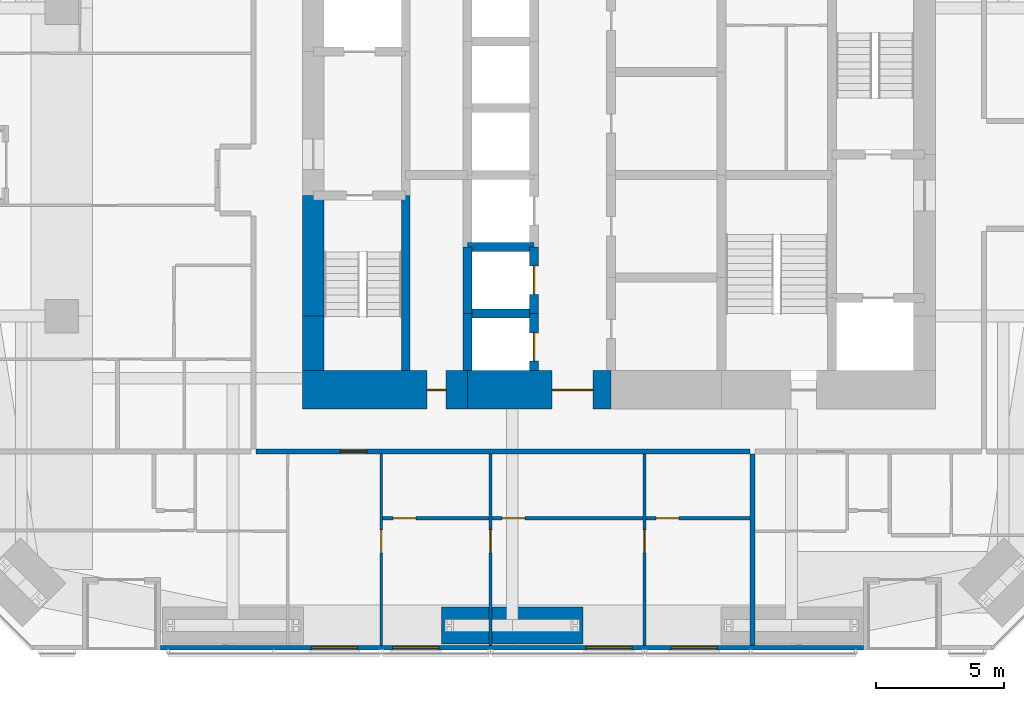
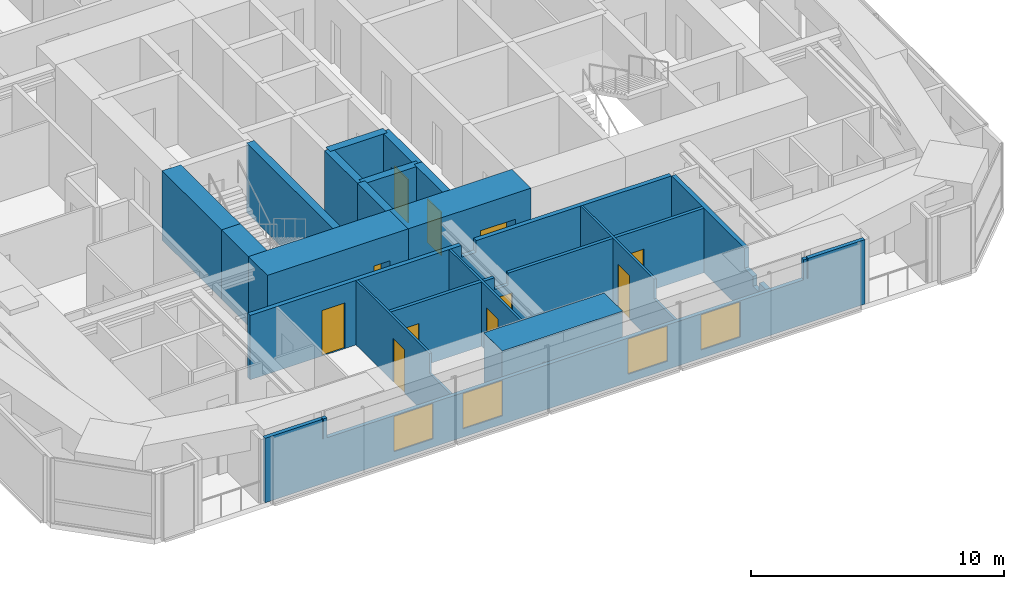
# One storey, part 17 of 23: 21 walls, 11 doors, 4 windows, 15 openings.
"""IFC4 building model written with IfcOpenShell, lengths in metres."""

from ifc_helpers import new_model, si_unit, direction, frame, frame_2d, origin, place, context, subcontext, project, spatial, polyline, rectangle, outline, extrude, material, layer, layer_set, constituent, constituent_set, type_object, element, fill, save


model = new_model("IFC4")

# Units and contexts
model_context = context("Model", 3, precision=1e-05, world=origin(), true_north=direction((0.0, 1.0)))
body_context = subcontext(model_context, "Body", "Model", "MODEL_VIEW")
ifc_project = project(units=[si_unit("LENGTHUNIT", "METRE"), si_unit("AREAUNIT", "SQUARE_METRE"), si_unit("VOLUMEUNIT", "CUBIC_METRE"), si_unit("PLANEANGLEUNIT", "RADIAN"), si_unit("MASSUNIT", "GRAM", prefix="KILO")], contexts=[model_context])

# Site, building, storey
site_placement = place(None, origin())
site = spatial("IfcSite", under=ifc_project, at=site_placement, CompositionType="ELEMENT")
building_placement = place(site_placement, origin())
building = spatial("IfcBuilding", under=site, at=building_placement, Name="Jalousie Tower", CompositionType="ELEMENT")
storey_placement = place(building_placement, frame((0.0, 0.0, 118.25)))
storey = spatial("IfcBuildingStorey", under=building, at=storey_placement, Name="L32", CompositionType="ELEMENT", Elevation=118.25)

# Wall, opening, door
ifc_material_1 = material(Name="Concrete block ASTM C90", Category="concrete")
ifc_constituent_1 = constituent(ifc_material_1, Name="Body")
ifc_material_2 = material(Name="Render")
ifc_constituent_2 = constituent(ifc_material_2, Name="Finish")
ifc_constituent_set_1 = constituent_set(constituents=[ifc_constituent_1, ifc_constituent_2])
wall_type_1 = type_object("IfcWallType", Name="BATHROOM WALL 150", PredefinedType="PLUMBINGWALL", material=ifc_constituent_set_1)
wall_1_placement = place(storey_placement, frame((22.699951171875, 5.125, 0.0), z_axis=(0.0, 0.0, 1.0), x_axis=(1.0, 0.0, 0.0)))
wall_1 = element("IfcWall", 1, at=wall_1_placement, inside=storey, type_object=wall_type_1, Name="Bathroom Wall 150 L32", PredefinedType="PLUMBINGWALL", context=body_context, shape_type="SweptSolid", body=[
    extrude(rectangle(XDim=4.150146484375, YDim=0.14990234375, at=frame_2d((2.0751953125, 0.0))), origin(), (0.0, 0.0, 1.0), 3.110107421875),
])
opening_1_placement = place(wall_1_placement, frame((0.39990234375, 0.0, 0.0)))
opening_1 = element("IfcOpeningElement", 2, at=opening_1_placement, cuts=wall_1, Name="Opening D3", PredefinedType="OPENING", context=body_context, shape_type="SweptSolid", body=[
    extrude(rectangle(XDim=0.89990234375, YDim=2.10009765625, at=frame_2d((0.449951171875, 1.050048828125))), frame((0.0, 0.0849609375, 0.0), z_axis=(0.0, -1.0, 0.0), x_axis=(1.0, 0.0, 0.0)), (0.0, 0.0, 1.0), 0.169921875),
])
ifc_material_3 = material(Name="Timber door", Category="wood")
door_type_1 = type_object("IfcDoorType", Name="BATHROOM DOOR 900", OperationType="SINGLE_SWING_LEFT", PredefinedType="DOOR", material=ifc_material_3)
door_1_placement = place(opening_1_placement, origin())
door_1 = element("IfcDoor", 3, at=door_1_placement, inside=storey, type_object=door_type_1, Name="Apartment 3201 bedroom 1 bathroom door", OperationType="SINGLE_SWING_LEFT", OverallHeight=2.10009765625, OverallWidth=0.89990234375, PredefinedType="DOOR", context=body_context, shape_type="SweptSolid", body=[
    extrude(rectangle(XDim=0.89990234375, YDim=2.10009765625, at=frame_2d((0.449951171875, 1.050048828125))), frame((0.0, 0.02490234375, 0.0), z_axis=(0.0, -1.0, 0.0), x_axis=(1.0, 0.0, 0.0)), (0.0, 0.0, 1.0), 0.050048828125),
])
fill(opening_1, door_1)

wall_2_placement = place(storey_placement, frame((26.949951171875, 5.125, 0.0), z_axis=(0.0, 0.0, 1.0), x_axis=(1.0, 0.0, 0.0)))
wall_2 = element("IfcWall", 4, at=wall_2_placement, inside=storey, type_object=wall_type_1, Name="Bathroom Wall 150 L32", PredefinedType="PLUMBINGWALL", context=body_context, shape_type="SweptSolid", body=[
    extrude(outline(polyline([(0.0, 0.0), (5.900146484375, 0.0), (5.89990234375, 3.110107421875), (1.1123046875, 3.110107421875), (1.1123046875, 2.541015625), (0.487548828125, 2.541015625), (0.487548828125, 3.110107421875), (0.0, 3.110107421875), (0.0, 0.0)])), frame((0.0, 0.074951171875, 0.0), z_axis=(0.0, -1.0, 0.0), x_axis=(1.0, 0.0, 0.0)), (0.0, 0.0, 1.0), 0.14990234375),
])
opening_2_placement = place(wall_2_placement, frame((0.39990234375, 0.0, 0.0)))
opening_2 = element("IfcOpeningElement", 5, at=opening_2_placement, cuts=wall_2, Name="Opening D3", PredefinedType="OPENING", context=body_context, shape_type="SweptSolid", body=[
    extrude(rectangle(XDim=0.89990234375, YDim=2.10009765625, at=frame_2d((0.449951171875, 1.050048828125))), frame((0.0, 0.0849609375, 0.0), z_axis=(0.0, -1.0, 0.0), x_axis=(1.0, 0.0, 0.0)), (0.0, 0.0, 1.0), 0.169921875),
])
door_2_placement = place(opening_2_placement, origin())
door_2 = element("IfcDoor", 6, at=door_2_placement, inside=storey, type_object=door_type_1, Name="Apartment 3201 bedroom 2 bathroom door", OperationType="SINGLE_SWING_LEFT", OverallHeight=2.10009765625, OverallWidth=0.89990234375, PredefinedType="DOOR", context=body_context, shape_type="SweptSolid", body=[
    extrude(rectangle(XDim=0.89990234375, YDim=2.10009765625, at=frame_2d((0.449951171875, 1.050048828125))), frame((0.0, 0.02490234375, 0.0), z_axis=(0.0, -1.0, 0.0), x_axis=(1.0, 0.0, 0.0)), (0.0, 0.0, 1.0), 0.050048828125),
])
fill(opening_2, door_2)

wall_3_placement = place(storey_placement, frame((32.949951171875, 5.125, 0.0), z_axis=(0.0, 0.0, 1.0), x_axis=(1.0, 0.0, 0.0)))
wall_3 = element("IfcWall", 7, at=wall_3_placement, inside=storey, type_object=wall_type_1, Name="Bathroom Wall 150 L32", PredefinedType="PLUMBINGWALL", context=body_context, shape_type="SweptSolid", body=[
    extrude(rectangle(XDim=4.050048828125, YDim=0.14990234375, at=frame_2d((2.02490234375, 0.0))), origin(), (0.0, 0.0, 1.0), 3.110107421875),
])
opening_3_placement = place(wall_3_placement, frame((0.39990234375, 0.0, 0.0)))
opening_3 = element("IfcOpeningElement", 8, at=opening_3_placement, cuts=wall_3, Name="Opening D3", PredefinedType="OPENING", context=body_context, shape_type="SweptSolid", body=[
    extrude(rectangle(XDim=0.89990234375, YDim=2.10009765625, at=frame_2d((0.449951171875, 1.050048828125))), frame((0.0, 0.0849609375, 0.0), z_axis=(0.0, -1.0, 0.0), x_axis=(1.0, 0.0, 0.0)), (0.0, 0.0, 1.0), 0.169921875),
])
door_3_placement = place(opening_3_placement, origin())
door_3 = element("IfcDoor", 9, at=door_3_placement, inside=storey, type_object=door_type_1, Name="Apartment 3201 bedroom 3 bathroom door", OperationType="SINGLE_SWING_LEFT", OverallHeight=2.10009765625, OverallWidth=0.89990234375, PredefinedType="DOOR", context=body_context, shape_type="SweptSolid", body=[
    extrude(rectangle(XDim=0.89990234375, YDim=2.10009765625, at=frame_2d((0.449951171875, 1.050048828125))), frame((0.0, 0.02490234375, 0.0), z_axis=(0.0, -1.0, 0.0), x_axis=(1.0, 0.0, 0.0)), (0.0, 0.0, 1.0), 0.050048828125),
])
fill(opening_3, door_3)

ifc_material_4 = material(Name="Concrete f'c 120 MPa", Category="concrete")
ifc_layer_1 = layer(ifc_material_4, 1.5)
ifc_layer_set_1 = layer_set([ifc_layer_1], Name="Concrete f'c 120 MPa")
wall_type_2 = type_object("IfcWallType", Name="CORE WALL 1500", PredefinedType="SHEAR", material=ifc_layer_set_1)
wall_4_placement = place(storey_placement, frame((19.574951171875, 10.125, 0.0), z_axis=(0.0, 0.0, 1.0), x_axis=(1.0, 0.0, 0.0)))
wall_4 = element("IfcWall", 10, at=wall_4_placement, inside=storey, type_object=wall_type_2, Name="Core wall SA L32", PredefinedType="SHEAR", context=body_context, shape_type="SweptSolid", body=[
    extrude(rectangle(XDim=6.425048828125, YDim=1.5, at=frame_2d((3.21240234375, 0.0))), origin(), (0.0, 0.0, 1.0), 3.35009765625),
])
opening_4_placement = place(wall_4_placement, frame((4.85009765625, 0.0, 0.0)))
opening_4 = element("IfcOpeningElement", 11, at=opening_4_placement, cuts=wall_4, Name="Opening D16", PredefinedType="OPENING", context=body_context, shape_type="SweptSolid", body=[
    extrude(rectangle(XDim=0.75, YDim=2.10009765625, at=frame_2d((0.375, 1.050048828125))), frame((0.0, 0.760009765625, 0.0), z_axis=(0.0, -1.0, 0.0), x_axis=(1.0, 0.0, 0.0)), (0.0, 0.0, 1.0), 1.52001953125),
])
ifc_material_5 = material(Name="Steel fire door", Category="steel")
door_type_2 = type_object("IfcDoorType", Name="RISER DOOR 750", OperationType="SINGLE_SWING_LEFT", PredefinedType="DOOR", material=ifc_material_5)
door_4_placement = place(opening_4_placement, origin())
door_4 = element("IfcDoor", 12, at=door_4_placement, inside=storey, type_object=door_type_2, Name="South riser door", OperationType="SINGLE_SWING_LEFT", OverallHeight=2.10009765625, OverallWidth=0.75, PredefinedType="DOOR", context=body_context, shape_type="SweptSolid", body=[
    extrude(rectangle(XDim=0.75, YDim=2.10009765625, at=frame_2d((0.375, 1.050048828125))), frame((0.0, 0.02490234375, 0.0), z_axis=(0.0, -1.0, 0.0), x_axis=(1.0, 0.0, 0.0)), (0.0, 0.0, 1.0), 0.050048828125),
])
fill(opening_4, door_4)

wall_5_placement = place(storey_placement, frame((26.0, 10.125, 0.0), z_axis=(0.0, 0.0, 1.0), x_axis=(1.0, 0.0, 0.0)))
wall_5 = element("IfcWall", 13, at=wall_5_placement, inside=storey, type_object=wall_type_2, Name="Core wall SB L32", PredefinedType="SHEAR", context=body_context, shape_type="SweptSolid", body=[
    extrude(rectangle(XDim=5.60009765625, YDim=1.5, at=frame_2d((2.800048828125, 0.0))), origin(), (0.0, 0.0, 1.0), 3.35009765625),
])
opening_5_placement = place(wall_5_placement, frame((3.300048828125, 0.0, 0.0)))
opening_5 = element("IfcOpeningElement", 14, at=opening_5_placement, cuts=wall_5, Name="Opening D15", PredefinedType="OPENING", context=body_context, shape_type="SweptSolid", body=[
    extrude(rectangle(XDim=1.60009765625, YDim=2.10009765625, at=frame_2d((0.800048828125, 1.050048828125))), frame((0.0, 0.760009765625, 0.0), z_axis=(0.0, -1.0, 0.0), x_axis=(1.0, 0.0, 0.0)), (0.0, 0.0, 1.0), 1.52001953125),
])
ifc_material_6 = material(Name="Steel fire door", Category="steel")
door_type_3 = type_object("IfcDoorType", Name="LIFT LOBBY DOOR 1600", OperationType="DOUBLE_DOOR_SINGLE_SWING", PredefinedType="DOOR", material=ifc_material_6)
door_5_placement = place(opening_5_placement, origin())
door_5 = element("IfcDoor", 15, at=door_5_placement, inside=storey, type_object=door_type_3, Name="Lift lobby south door", OperationType="DOUBLE_DOOR_SINGLE_SWING", OverallHeight=2.10009765625, OverallWidth=1.60009765625, PredefinedType="DOOR", context=body_context, shape_type="SweptSolid", body=[
    extrude(rectangle(XDim=1.60009765625, YDim=2.10009765625, at=frame_2d((0.800048828125, 1.050048828125))), frame((0.0, 0.02490234375, 0.0), z_axis=(0.0, -1.0, 0.0), x_axis=(1.0, 0.0, 0.0)), (0.0, 0.0, 1.0), 0.050048828125),
])
fill(opening_5, door_5)

# Walls
ifc_material_7 = material(Name="Concrete f'c 120 MPa", Category="concrete")
ifc_layer_2 = layer(ifc_material_7, 0.35009765625)
ifc_layer_set_2 = layer_set([ifc_layer_2], Name="Concrete f'c 120 MPa")
wall_type_3 = type_object("IfcWallType", Name="CORE WALL 350", PredefinedType="SHEAR", material=ifc_layer_set_2)
wall_6_placement = place(storey_placement, frame((23.60009765625, 10.875, 0.0), z_axis=(0.0, 0.0, 1.0), x_axis=(0.0, 1.0, 0.0)))
element("IfcWall", 16, at=wall_6_placement, inside=storey, type_object=wall_type_3, Name="Core wall X23.6A L32", PredefinedType="SHEAR", context=body_context, shape_type="SweptSolid", body=[
    extrude(rectangle(XDim=6.824951171875, YDim=0.35009765625, at=frame_2d((3.41259765625, 0.0))), origin(), (0.0, 0.0, 1.0), 3.35009765625),
])
wall_7_placement = place(storey_placement, frame((26.0, 10.875, 0.0), z_axis=(0.0, 0.0, 1.0), x_axis=(0.0, 1.0, 0.0)))
element("IfcWall", 17, at=wall_7_placement, inside=storey, type_object=wall_type_3, Name="Core wall X26A L32", PredefinedType="SHEAR", context=body_context, shape_type="SweptSolid", body=[
    extrude(rectangle(XDim=2.22509765625, YDim=0.35009765625, at=frame_2d((1.112548828125, 0.0))), origin(), (0.0, 0.0, 1.0), 3.35009765625),
])
wall_8_placement = place(storey_placement, frame((26.0, 13.10009765625, 0.0), z_axis=(0.0, 0.0, 1.0), x_axis=(0.0, 1.0, 0.0)))
element("IfcWall", 18, at=wall_8_placement, inside=storey, type_object=wall_type_3, Name="Core wall X26B L32", PredefinedType="SHEAR", context=body_context, shape_type="SweptSolid", body=[
    extrude(rectangle(XDim=2.599853515625, YDim=0.35009765625, at=frame_2d((1.2998046875, 0.0))), origin(), (0.0, 0.0, 1.0), 3.35009765625),
])

# Wall, opening, door
wall_9_placement = place(storey_placement, frame((28.60009765625, 10.875, 0.0), z_axis=(0.0, 0.0, 1.0), x_axis=(0.0, 1.0, 0.0)))
wall_9 = element("IfcWall", 19, at=wall_9_placement, inside=storey, type_object=wall_type_3, Name="Core wall X28.6A L32", PredefinedType="SHEAR", context=body_context, shape_type="SweptSolid", body=[
    extrude(rectangle(XDim=2.22509765625, YDim=0.35009765625, at=frame_2d((1.112548828125, 0.0))), origin(), (0.0, 0.0, 1.0), 3.35009765625),
])
opening_6_placement = place(wall_9_placement, frame((0.375, 0.0, 0.0)))
opening_6 = element("IfcOpeningElement", 20, at=opening_6_placement, cuts=wall_9, Name="Opening LD1", PredefinedType="OPENING", context=body_context, shape_type="SweptSolid", body=[
    extrude(rectangle(XDim=1.10009765625, YDim=2.10009765625, at=frame_2d((0.550048828125, 1.050048828125))), frame((0.0, 0.18505859375, 0.0), z_axis=(0.0, -1.0, 0.0), x_axis=(1.0, 0.0, 0.0)), (0.0, 0.0, 1.0), 0.3701171875),
])
ifc_material_8 = material(Name="Steel lift landing door", Category="steel")
door_type_4 = type_object("IfcDoorType", Name="LIFT LANDING DOOR 1100", OperationType="SLIDING_TO_LEFT", PredefinedType="DOOR", material=ifc_material_8)
door_6_placement = place(opening_6_placement, origin())
door_6 = element("IfcDoor", 21, at=door_6_placement, inside=storey, type_object=door_type_4, Name="Lift P1 landing door", OperationType="SLIDING_TO_LEFT", OverallHeight=2.10009765625, OverallWidth=1.10009765625, PredefinedType="DOOR", context=body_context, shape_type="SweptSolid", body=[
    extrude(rectangle(XDim=1.10009765625, YDim=2.10009765625, at=frame_2d((0.550048828125, 1.050048828125))), frame((0.0, 0.02490234375, 0.0), z_axis=(0.0, -1.0, 0.0), x_axis=(1.0, 0.0, 0.0)), (0.0, 0.0, 1.0), 0.050048828125),
])
fill(opening_6, door_6)

wall_10_placement = place(storey_placement, frame((28.60009765625, 13.10009765625, 0.0), z_axis=(0.0, 0.0, 1.0), x_axis=(0.0, 1.0, 0.0)))
wall_10 = element("IfcWall", 22, at=wall_10_placement, inside=storey, type_object=wall_type_3, Name="Core wall X28.6B L32", PredefinedType="SHEAR", context=body_context, shape_type="SweptSolid", body=[
    extrude(rectangle(XDim=2.599853515625, YDim=0.35009765625, at=frame_2d((1.2998046875, 0.0))), origin(), (0.0, 0.0, 1.0), 3.35009765625),
])
opening_7_placement = place(wall_10_placement, frame((0.75, 0.0, 0.0)))
opening_7 = element("IfcOpeningElement", 23, at=opening_7_placement, cuts=wall_10, Name="Opening LD1", PredefinedType="OPENING", context=body_context, shape_type="SweptSolid", body=[
    extrude(rectangle(XDim=1.10009765625, YDim=2.10009765625, at=frame_2d((0.550048828125, 1.050048828125))), frame((0.0, 0.18505859375, 0.0), z_axis=(0.0, -1.0, 0.0), x_axis=(1.0, 0.0, 0.0)), (0.0, 0.0, 1.0), 0.3701171875),
])
door_7_placement = place(opening_7_placement, origin())
door_7 = element("IfcDoor", 24, at=door_7_placement, inside=storey, type_object=door_type_4, Name="Lift P2 landing door", OperationType="SLIDING_TO_LEFT", OverallHeight=2.10009765625, OverallWidth=1.10009765625, PredefinedType="DOOR", context=body_context, shape_type="SweptSolid", body=[
    extrude(rectangle(XDim=1.10009765625, YDim=2.10009765625, at=frame_2d((0.550048828125, 1.050048828125))), frame((0.0, 0.02490234375, 0.0), z_axis=(0.0, -1.0, 0.0), x_axis=(1.0, 0.0, 0.0)), (0.0, 0.0, 1.0), 0.050048828125),
])
fill(opening_7, door_7)

# Walls
for number, where, z_axis, x_axis, name in (
    (25, (26.0, 13.10009765625, 0.0), (0.0, 0.0, 1.0), (1.0, 0.0, 0.0), "Core wall Y26-13.1 L32"),
    (26, (26.0, 15.699951171875, 0.0), (0.0, 0.0, 1.0), (1.0, 0.0, 0.0), "Core wall Y26-15.7 L32"),
):
    element("IfcWall", number, at=place(storey_placement, frame(where, z_axis=z_axis, x_axis=x_axis)), inside=storey, type_object=wall_type_3, Name=name, PredefinedType="SHEAR", context=body_context, shape_type="SweptSolid", body=[
        extrude(rectangle(XDim=2.60009765625, YDim=0.35009765625, at=frame_2d((1.300048828125, 0.0))), origin(), (0.0, 0.0, 1.0), 3.35009765625),
    ])
ifc_material_9 = material(Name="Concrete f'c 120 MPa", Category="concrete")
ifc_layer_3 = layer(ifc_material_9, 0.85009765625)
ifc_layer_set_3 = layer_set([ifc_layer_3], Name="Concrete f'c 120 MPa")
wall_type_4 = type_object("IfcWallType", Name="CORE WALL 850", PredefinedType="SHEAR", material=ifc_layer_set_3)
wall_11_placement = place(storey_placement, frame((20.0, 17.699951171875, 0.0), z_axis=(0.0, 0.0, 1.0), x_axis=(0.0, -1.0, 0.0)))
element("IfcWall", 27, at=wall_11_placement, inside=storey, type_object=wall_type_4, Name="Core wall WC L32", PredefinedType="SHEAR", context=body_context, shape_type="SweptSolid", body=[
    extrude(rectangle(XDim=4.699951171875, YDim=0.85009765625, at=frame_2d((2.35009765625, 0.0))), origin(), (0.0, 0.0, 1.0), 3.35009765625),
])
wall_12_placement = place(storey_placement, frame((20.0, 13.0, 0.0), z_axis=(0.0, 0.0, 1.0), x_axis=(0.0, -1.0, 0.0)))
element("IfcWall", 28, at=wall_12_placement, inside=storey, type_object=wall_type_4, Name="Core wall WD L32", PredefinedType="SHEAR", context=body_context, shape_type="SweptSolid", body=[
    extrude(rectangle(XDim=2.125, YDim=0.85009765625, at=frame_2d((1.0625, 0.0))), origin(), (0.0, 0.0, 1.0), 3.35009765625),
])

# Wall, opening, door
ifc_material_10 = material(Name="Concrete block ASTM C90", Category="concrete")
ifc_constituent_3 = constituent(ifc_material_10, Name="Body")
ifc_material_11 = material(Name="Render")
ifc_constituent_4 = constituent(ifc_material_11, Name="Finish")
ifc_constituent_set_2 = constituent_set(constituents=[ifc_constituent_3, ifc_constituent_4])
wall_type_5 = type_object("IfcWallType", Name="CORRIDOR WALL 200", PredefinedType="PARTITIONING", material=ifc_constituent_set_2)
wall_13_placement = place(storey_placement, frame((17.77490234375, 7.72509765625, 0.0), z_axis=(0.0, 0.0, 1.0), x_axis=(1.0, 0.0, 0.0)))
wall_13 = element("IfcWall", 29, at=wall_13_placement, inside=storey, type_object=wall_type_5, Name="Corridor Wall 200 L32", PredefinedType="PARTITIONING", context=body_context, shape_type="SweptSolid", body=[
    extrude(outline(polyline([(0.0, 0.0), (19.22509765625, 0.0), (19.22509765625, 3.110107421875), (10.312255859375, 3.110107421875), (10.312255859375, 2.541015625), (9.6376953125, 2.541015625), (9.6376953125, 3.110107421875), (0.0, 3.110107421875), (0.0, 0.0)])), frame((0.0, 0.10009765625, 0.0), z_axis=(0.0, -1.0, 0.0), x_axis=(1.0, 0.0, 0.0)), (0.0, 0.0, 1.0), 0.199951171875),
])
opening_8_placement = place(wall_13_placement, frame((3.27490234375, 0.0, 0.0)))
opening_8 = element("IfcOpeningElement", 30, at=opening_8_placement, cuts=wall_13, Name="Opening D1", PredefinedType="OPENING", context=body_context, shape_type="SweptSolid", body=[
    extrude(rectangle(XDim=1.050048828125, YDim=2.199951171875, at=frame_2d((0.52490234375, 1.10009765625))), frame((0.0, 0.10986328125, 0.0), z_axis=(0.0, -1.0, 0.0), x_axis=(1.0, 0.0, 0.0)), (0.0, 0.0, 1.0), 0.219970703125),
])
ifc_material_12 = material(Name="Timber fire door", Category="wood")
door_type_5 = type_object("IfcDoorType", Name="APARTMENT ENTRANCE DOOR 1050", OperationType="SINGLE_SWING_LEFT", PredefinedType="DOOR", material=ifc_material_12)
door_8_placement = place(opening_8_placement, frame((1.050048828125, 0.0, 0.0), z_axis=(0.0, 0.0, 1.0), x_axis=(-1.0, 0.0, 0.0)))
door_8 = element("IfcDoor", 31, at=door_8_placement, inside=storey, type_object=door_type_5, Name="Apartment 3201 entrance", OperationType="SINGLE_SWING_LEFT", OverallHeight=2.199951171875, OverallWidth=1.050048828125, PredefinedType="DOOR", context=body_context, shape_type="SweptSolid", body=[
    extrude(rectangle(XDim=1.050048828125, YDim=2.199951171875, at=frame_2d((0.52490234375, 1.10009765625))), frame((0.0, 0.02490234375, 0.0), z_axis=(0.0, -1.0, 0.0), x_axis=(1.0, 0.0, 0.0)), (0.0, 0.0, 1.0), 0.050048828125),
])
fill(opening_8, door_8)

# Wall, openings, windows
ifc_material_13 = material(Name="Concrete f'c 40 MPa", Category="concrete")
ifc_constituent_5 = constituent(ifc_material_13, Name="Body")
ifc_material_14 = material(Name="Render, pastel sea green")
ifc_constituent_6 = constituent(ifc_material_14, Name="Finish")
ifc_constituent_set_3 = constituent_set(constituents=[ifc_constituent_5, ifc_constituent_6])
wall_type_6 = type_object("IfcWallType", Name="EXTERNAL WALL 175 SEA GREEN RENDER", PredefinedType="SOLIDWALL", material=ifc_constituent_set_3)
wall_14_placement = place(storey_placement, frame((14.05126953125, 0.08740234375, 0.0), z_axis=(0.0, 0.0, 1.0), x_axis=(1.0, 0.0, 0.0)))
wall_14 = element("IfcWall", 32, at=wall_14_placement, inside=storey, type_object=wall_type_6, Name="External Wall 175 Sea Green Render L32", PredefinedType="SOLIDWALL", context=body_context, shape_type="SweptSolid", body=[
    extrude(outline(polyline([(0.0, 0.0), (27.373779296875, 0.0), (27.373779296875, 3.110107421875), (24.777099609375, 3.110107421875), (24.777099609375, 2.14990234375), (24.731689453125, 2.14990234375), (24.731689453125, 3.110107421875), (24.57373046875, 3.110107421875), (24.57373046875, 2.14990234375), (2.82373046875, 2.14990234375), (2.82373046875, 3.110107421875), (2.66552734375, 3.110107421875), (2.66552734375, 2.14990234375), (2.620361328125, 2.14990234375), (2.620361328125, 3.110107421875), (0.0, 3.110107421875), (0.0, 0.0)])), frame((0.0, 0.08740234375, 0.0), z_axis=(0.0, -1.0, 0.0), x_axis=(1.0, 0.0, 0.0)), (0.0, 0.0, 1.0), 0.175048828125),
])
opening_9_placement = place(wall_14_placement, frame((5.873779296875, 0.0, 0.39990234375)))
opening_9 = element("IfcOpeningElement", 33, at=opening_9_placement, cuts=wall_14, Name="Opening W-BED170", PredefinedType="OPENING", context=body_context, shape_type="SweptSolid", body=[
    extrude(rectangle(XDim=1.800048828125, YDim=1.699951171875, at=frame_2d((0.89990234375, 0.85009765625))), frame((0.0, 0.097412109375, 0.0), z_axis=(0.0, -1.0, 0.0), x_axis=(1.0, 0.0, 0.0)), (0.0, 0.0, 1.0), 0.195068359375),
])
opening_10_placement = place(wall_14_placement, frame((9.0400390625, 0.0, 0.39990234375)))
opening_10 = element("IfcOpeningElement", 34, at=opening_10_placement, cuts=wall_14, Name="Opening W-BED170", PredefinedType="OPENING", context=body_context, shape_type="SweptSolid", body=[
    extrude(rectangle(XDim=1.800048828125, YDim=1.699951171875, at=frame_2d((0.89990234375, 0.85009765625))), frame((0.0, 0.097412109375, 0.0), z_axis=(0.0, -1.0, 0.0), x_axis=(1.0, 0.0, 0.0)), (0.0, 0.0, 1.0), 0.195068359375),
])
opening_11_placement = place(wall_14_placement, frame((16.563720703125, 0.0, 0.39990234375)))
opening_11 = element("IfcOpeningElement", 35, at=opening_11_placement, cuts=wall_14, Name="Opening W-BED170", PredefinedType="OPENING", context=body_context, shape_type="SweptSolid", body=[
    extrude(rectangle(XDim=1.800048828125, YDim=1.699951171875, at=frame_2d((0.89990234375, 0.85009765625))), frame((0.0, 0.097412109375, 0.0), z_axis=(0.0, -1.0, 0.0), x_axis=(1.0, 0.0, 0.0)), (0.0, 0.0, 1.0), 0.195068359375),
])
opening_12_placement = place(wall_14_placement, frame((19.888671875, 0.0, 0.39990234375)))
opening_12 = element("IfcOpeningElement", 36, at=opening_12_placement, cuts=wall_14, Name="Opening W-BED170", PredefinedType="OPENING", context=body_context, shape_type="SweptSolid", body=[
    extrude(rectangle(XDim=1.800048828125, YDim=1.699951171875, at=frame_2d((0.89990234375, 0.85009765625))), frame((0.0, 0.097412109375, 0.0), z_axis=(0.0, -1.0, 0.0), x_axis=(1.0, 0.0, 0.0)), (0.0, 0.0, 1.0), 0.195068359375),
])
ifc_material_15 = material(Name="Aluminium frame, impact-rated glazing", Category="aluminium")
window_type = type_object("IfcWindowType", Name="WINDOW BED 1800x1700", PartitioningType="SINGLE_PANEL", PredefinedType="WINDOW", material=ifc_material_15)
window_1_placement = place(opening_9_placement, origin())
window_1 = element("IfcWindow", 37, at=window_1_placement, inside=storey, type_object=window_type, Name="Apartment 3201 study window", OverallHeight=1.699951171875, OverallWidth=1.800048828125, PartitioningType="SINGLE_PANEL", PredefinedType="WINDOW", context=body_context, shape_type="SweptSolid", body=[
    extrude(rectangle(XDim=1.800048828125, YDim=1.699951171875, at=frame_2d((0.89990234375, 0.85009765625))), frame((0.0, 0.030029296875, 0.0), z_axis=(0.0, -1.0, 0.0), x_axis=(1.0, 0.0, 0.0)), (0.0, 0.0, 1.0), 0.06005859375),
])
fill(opening_9, window_1)
window_2_placement = place(opening_10_placement, origin())
window_2 = element("IfcWindow", 38, at=window_2_placement, inside=storey, type_object=window_type, Name="Apartment 3201 bedroom 1 window", OverallHeight=1.699951171875, OverallWidth=1.800048828125, PartitioningType="SINGLE_PANEL", PredefinedType="WINDOW", context=body_context, shape_type="SweptSolid", body=[
    extrude(rectangle(XDim=1.800048828125, YDim=1.699951171875, at=frame_2d((0.89990234375, 0.85009765625))), frame((0.0, 0.030029296875, 0.0), z_axis=(0.0, -1.0, 0.0), x_axis=(1.0, 0.0, 0.0)), (0.0, 0.0, 1.0), 0.06005859375),
])
fill(opening_10, window_2)
window_3_placement = place(opening_11_placement, origin())
window_3 = element("IfcWindow", 39, at=window_3_placement, inside=storey, type_object=window_type, Name="Apartment 3201 bedroom 2 window", OverallHeight=1.699951171875, OverallWidth=1.800048828125, PartitioningType="SINGLE_PANEL", PredefinedType="WINDOW", context=body_context, shape_type="SweptSolid", body=[
    extrude(rectangle(XDim=1.800048828125, YDim=1.699951171875, at=frame_2d((0.89990234375, 0.85009765625))), frame((0.0, 0.030029296875, 0.0), z_axis=(0.0, -1.0, 0.0), x_axis=(1.0, 0.0, 0.0)), (0.0, 0.0, 1.0), 0.06005859375),
])
fill(opening_11, window_3)
window_4_placement = place(opening_12_placement, origin())
window_4 = element("IfcWindow", 40, at=window_4_placement, inside=storey, type_object=window_type, Name="Apartment 3201 bedroom 3 window", OverallHeight=1.699951171875, OverallWidth=1.800048828125, PartitioningType="SINGLE_PANEL", PredefinedType="WINDOW", context=body_context, shape_type="SweptSolid", body=[
    extrude(rectangle(XDim=1.800048828125, YDim=1.699951171875, at=frame_2d((0.89990234375, 0.85009765625))), frame((0.0, 0.030029296875, 0.0), z_axis=(0.0, -1.0, 0.0), x_axis=(1.0, 0.0, 0.0)), (0.0, 0.0, 1.0), 0.06005859375),
])
fill(opening_12, window_4)

# Wall, opening, door
ifc_material_16 = material(Name="Gypsum board", Category="gypsum")
ifc_constituent_7 = constituent(ifc_material_16, Name="Body")
ifc_material_17 = material(Name="Light-gauge steel studs ASTM A653 SS Grade 33", Category="steel")
ifc_constituent_8 = constituent(ifc_material_17, Name="Framing")
ifc_constituent_set_4 = constituent_set(constituents=[ifc_constituent_7, ifc_constituent_8])
wall_type_7 = type_object("IfcWallType", Name="PARTITION 100", PredefinedType="PARTITIONING", material=ifc_constituent_set_4)
wall_15_placement = place(storey_placement, frame((22.64990234375, 0.175048828125, 0.0), z_axis=(0.0, 0.0, 1.0), x_axis=(0.0, 1.0, 0.0)))
wall_15 = element("IfcWall", 41, at=wall_15_placement, inside=storey, type_object=wall_type_7, Name="Partition 100 L32", PredefinedType="PARTITIONING", context=body_context, shape_type="SweptSolid", body=[
    extrude(outline(polyline([(0.0, 0.0), (7.449951171875, 0.0), (7.449951171875, 3.110107421875), (1.635009765625, 3.110107421875), (1.635009765625, 2.14990234375), (0.0, 2.14990234375), (0.0, 3.110107421875), (0.0, 0.0)])), frame((0.0, 0.050048828125, 0.0), z_axis=(0.0, -1.0, 0.0), x_axis=(1.0, 0.0, 0.0)), (0.0, 0.0, 1.0), 0.10009765625),
])
opening_13_placement = place(wall_15_placement, frame((3.60009765625, 0.0, 0.0)))
opening_13 = element("IfcOpeningElement", 42, at=opening_13_placement, cuts=wall_15, Name="Opening D2", PredefinedType="OPENING", context=body_context, shape_type="SweptSolid", body=[
    extrude(rectangle(XDim=0.89990234375, YDim=2.10009765625, at=frame_2d((0.449951171875, 1.050048828125))), frame((0.0, 0.06005859375, 0.0), z_axis=(0.0, -1.0, 0.0), x_axis=(1.0, 0.0, 0.0)), (0.0, 0.0, 1.0), 0.1201171875),
])
ifc_material_18 = material(Name="Timber door", Category="wood")
door_type_6 = type_object("IfcDoorType", Name="BEDROOM DOOR 900", OperationType="SINGLE_SWING_LEFT", PredefinedType="DOOR", material=ifc_material_18)
door_9_placement = place(opening_13_placement, frame((0.89990234375, 0.0, 0.0), z_axis=(0.0, 0.0, 1.0), x_axis=(-1.0, 0.0, 0.0)))
door_9 = element("IfcDoor", 43, at=door_9_placement, inside=storey, type_object=door_type_6, Name="Apartment 3201 bedroom 1 door", OperationType="SINGLE_SWING_LEFT", OverallHeight=2.10009765625, OverallWidth=0.89990234375, PredefinedType="DOOR", context=body_context, shape_type="SweptSolid", body=[
    extrude(rectangle(XDim=0.89990234375, YDim=2.10009765625, at=frame_2d((0.449951171875, 1.050048828125))), frame((0.0, 0.02490234375, 0.0), z_axis=(0.0, -1.0, 0.0), x_axis=(1.0, 0.0, 0.0)), (0.0, 0.0, 1.0), 0.050048828125),
])
fill(opening_13, door_9)

wall_16_placement = place(storey_placement, frame((26.89990234375, 0.175048828125, 0.0), z_axis=(0.0, 0.0, 1.0), x_axis=(0.0, 1.0, 0.0)))
wall_16 = element("IfcWall", 44, at=wall_16_placement, inside=storey, type_object=wall_type_7, Name="Partition 100 L32", PredefinedType="PARTITIONING", context=body_context, shape_type="SweptSolid", body=[
    extrude(outline(polyline([(0.52880859375, 2.14990234375), (0.0, 2.14990234375), (0.0, 0.0), (0.52880859375, 0.0), (0.52880859375, 0.888916015625), (1.021240234375, 0.888916015625), (1.021240234375, 0.0), (7.449951171875, 0.0), (7.449951171875, 3.110107421875), (1.635009765625, 3.110107421875), (1.635009765625, 2.14990234375), (1.021240234375, 2.14990234375), (1.021240234375, 1.26123046875), (0.52880859375, 1.26123046875), (0.52880859375, 2.14990234375)])), frame((0.0, 0.050048828125, 0.0), z_axis=(0.0, -1.0, 0.0), x_axis=(1.0, 0.0, 0.0)), (0.0, 0.0, 1.0), 0.10009765625),
])
opening_14_placement = place(wall_16_placement, frame((3.60009765625, 0.0, 0.0)))
opening_14 = element("IfcOpeningElement", 45, at=opening_14_placement, cuts=wall_16, Name="Opening D2", PredefinedType="OPENING", context=body_context, shape_type="SweptSolid", body=[
    extrude(rectangle(XDim=0.89990234375, YDim=2.10009765625, at=frame_2d((0.449951171875, 1.050048828125))), frame((0.0, 0.06005859375, 0.0), z_axis=(0.0, -1.0, 0.0), x_axis=(1.0, 0.0, 0.0)), (0.0, 0.0, 1.0), 0.1201171875),
])
door_10_placement = place(opening_14_placement, frame((0.89990234375, 0.0, 0.0), z_axis=(0.0, 0.0, 1.0), x_axis=(-1.0, 0.0, 0.0)))
door_10 = element("IfcDoor", 46, at=door_10_placement, inside=storey, type_object=door_type_6, Name="Apartment 3201 bedroom 2 door", OperationType="SINGLE_SWING_LEFT", OverallHeight=2.10009765625, OverallWidth=0.89990234375, PredefinedType="DOOR", context=body_context, shape_type="SweptSolid", body=[
    extrude(rectangle(XDim=0.89990234375, YDim=2.10009765625, at=frame_2d((0.449951171875, 1.050048828125))), frame((0.0, 0.02490234375, 0.0), z_axis=(0.0, -1.0, 0.0), x_axis=(1.0, 0.0, 0.0)), (0.0, 0.0, 1.0), 0.050048828125),
])
fill(opening_14, door_10)

wall_17_placement = place(storey_placement, frame((32.89990234375, 0.175048828125, 0.0), z_axis=(0.0, 0.0, 1.0), x_axis=(0.0, 1.0, 0.0)))
wall_17 = element("IfcWall", 47, at=wall_17_placement, inside=storey, type_object=wall_type_7, Name="Partition 100 L32", PredefinedType="PARTITIONING", context=body_context, shape_type="SweptSolid", body=[
    extrude(outline(polyline([(0.0, 0.0), (7.449951171875, 0.0), (7.449951171875, 3.110107421875), (1.635009765625, 3.110107421875), (1.635009765625, 2.14990234375), (0.0, 2.14990234375), (0.0, 3.110107421875), (0.0, 0.0)])), frame((0.0, 0.050048828125, 0.0), z_axis=(0.0, -1.0, 0.0), x_axis=(1.0, 0.0, 0.0)), (0.0, 0.0, 1.0), 0.10009765625),
])
opening_15_placement = place(wall_17_placement, frame((3.60009765625, 0.0, 0.0)))
opening_15 = element("IfcOpeningElement", 48, at=opening_15_placement, cuts=wall_17, Name="Opening D2", PredefinedType="OPENING", context=body_context, shape_type="SweptSolid", body=[
    extrude(rectangle(XDim=0.89990234375, YDim=2.10009765625, at=frame_2d((0.449951171875, 1.050048828125))), frame((0.0, 0.06005859375, 0.0), z_axis=(0.0, -1.0, 0.0), x_axis=(1.0, 0.0, 0.0)), (0.0, 0.0, 1.0), 0.1201171875),
])
door_11_placement = place(opening_15_placement, origin())
door_11 = element("IfcDoor", 49, at=door_11_placement, inside=storey, type_object=door_type_6, Name="Apartment 3201 bedroom 3 door", OperationType="SINGLE_SWING_RIGHT", OverallHeight=2.10009765625, OverallWidth=0.89990234375, PredefinedType="DOOR", context=body_context, shape_type="SweptSolid", body=[
    extrude(rectangle(XDim=0.89990234375, YDim=2.10009765625, at=frame_2d((0.449951171875, 1.050048828125))), frame((0.0, 0.02490234375, 0.0), z_axis=(0.0, -1.0, 0.0), x_axis=(1.0, 0.0, 0.0)), (0.0, 0.0, 1.0), 0.050048828125),
])
fill(opening_15, door_11)

# Walls
ifc_material_19 = material(Name="Concrete block ASTM C90", Category="concrete")
ifc_constituent_9 = constituent(ifc_material_19, Name="Body")
ifc_material_20 = material(Name="Render")
ifc_constituent_10 = constituent(ifc_material_20, Name="Finish")
ifc_constituent_set_5 = constituent_set(constituents=[ifc_constituent_9, ifc_constituent_10])
wall_type_8 = type_object("IfcWallType", Name="PARTY WALL 200", PredefinedType="PARTITIONING", material=ifc_constituent_set_5)
wall_18_placement = place(storey_placement, frame((37.10009765625, 0.175048828125, 0.0), z_axis=(0.0, 0.0, 1.0), x_axis=(0.0, 1.0, 0.0)))
element("IfcWall", 50, at=wall_18_placement, inside=storey, type_object=wall_type_8, Name="Party Wall 200 L32", PredefinedType="PARTITIONING", context=body_context, shape_type="SweptSolid", body=[
    extrude(outline(polyline([(0.52880859375, 2.14990234375), (0.0, 2.14990234375), (0.0, 0.0), (0.52880859375, 0.0), (0.52880859375, 0.46142578125), (1.021240234375, 0.46142578125), (1.021240234375, 0.0), (7.449951171875, 0.0), (7.449951171875, 3.110107421875), (1.68505859375, 3.110107421875), (1.68505859375, 2.14990234375), (1.021240234375, 2.14990234375), (1.021240234375, 1.6884765625), (0.52880859375, 1.6884765625), (0.52880859375, 2.14990234375)])), frame((0.0, 0.10009765625, 0.0), z_axis=(0.0, -1.0, 0.0), x_axis=(1.0, 0.0, 0.0)), (0.0, 0.0, 1.0), 0.199951171875),
])
ifc_material_21 = material(Name="Concrete f'c 120 MPa", Category="concrete")
ifc_layer_4 = layer(ifc_material_21, 1.449951171875)
ifc_layer_set_4 = layer_set([ifc_layer_4], Name="Concrete f'c 120 MPa")
wall_type_9 = type_object("IfcWallType", Name="RC WALL PIER 1450", PredefinedType="SHEAR", material=ifc_layer_set_4)
wall_19_placement = place(storey_placement, frame((25.0, 0.949951171875, 0.0), z_axis=(0.0, 0.0, 1.0), x_axis=(1.0, 0.0, 0.0)))
element("IfcWall", 51, at=wall_19_placement, inside=storey, type_object=wall_type_9, Name="Wall pier 03 L32", PredefinedType="SHEAR", context=body_context, shape_type="SweptSolid", body=[
    extrude(rectangle(XDim=5.5, YDim=1.449951171875, at=frame_2d((2.75, 0.0))), origin(), (0.0, 0.0, 1.0), 3.35009765625),
])

save(model, "model.ifc")
